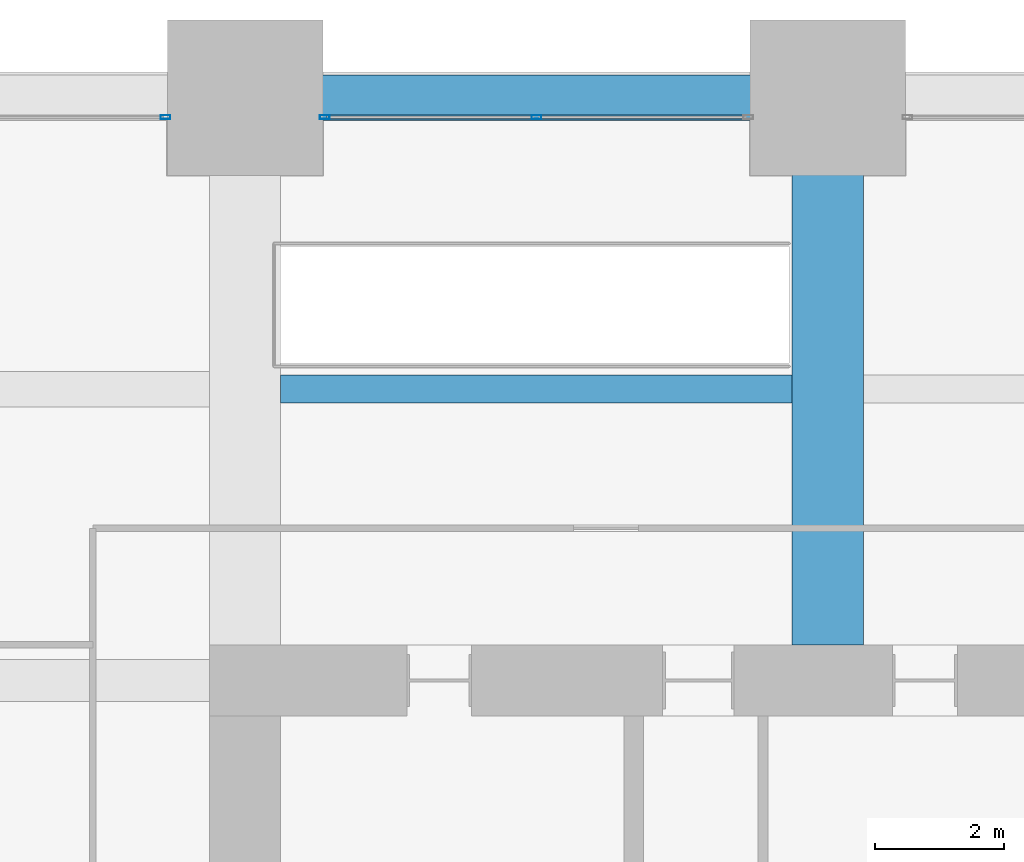
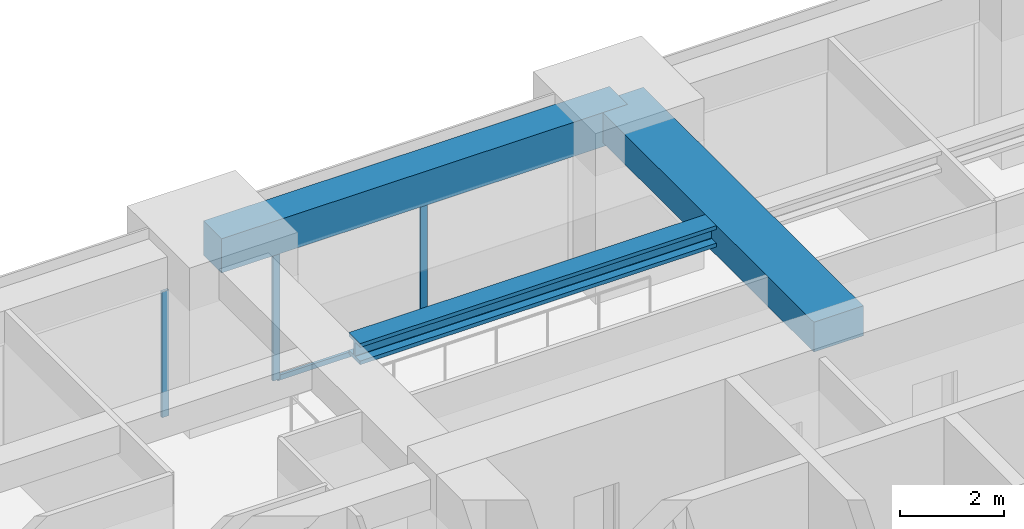
# One storey, part 24 of 32: 4 members, 3 beams, 2 elements without a shape of their own.
"""IFC4 building model written with IfcOpenShell, lengths in metres."""

from ifc_helpers import new_model, si_unit, direction, frame, origin, origin_2d, place, context, subcontext, project, spatial, rectangle, hollow_rectangle, i_section, extrude, material, material_profile, profile_set, type_object, element, aggregate, save


model = new_model("IFC4")

# Units and contexts
model_context = context("Model", 3, precision=1e-05, world=origin(), true_north=direction((0.0, 1.0)))
body_context = subcontext(model_context, "Body", "Model", "MODEL_VIEW")
ifc_project = project(units=[si_unit("LENGTHUNIT", "METRE"), si_unit("AREAUNIT", "SQUARE_METRE"), si_unit("VOLUMEUNIT", "CUBIC_METRE"), si_unit("PLANEANGLEUNIT", "RADIAN"), si_unit("MASSUNIT", "GRAM", prefix="KILO")], contexts=[model_context])

# Site, building, storey
site_placement = place(None, origin())
site = spatial("IfcSite", under=ifc_project, at=site_placement, CompositionType="ELEMENT")
building_placement = place(site_placement, origin())
building = spatial("IfcBuilding", under=site, at=building_placement, Name="Zorevar Civic Tower", CompositionType="ELEMENT")
storey_placement = place(building_placement, frame((0.0, 0.0, 198.199951171875)))
storey = spatial("IfcBuildingStorey", under=building, at=storey_placement, Name="L48", CompositionType="ELEMENT", Elevation=198.199951171875)

# Beam
ifc_material_1 = material(Name="Concrete C50/60", Category="concrete")
ifc_material_profile_1 = material_profile(ifc_material_1, rectangle(XDim=1.10009765625, YDim=0.699951171875, at=origin_2d()), Name="RC 1100x700")
ifc_profile_set_1 = profile_set([ifc_material_profile_1], Name="Concrete C50/60")
beam_type_1 = type_object("IfcBeamType", Name="Beam RC 1100x700", PredefinedType="BEAM", material=ifc_profile_set_1)
beam_1_placement = place(storey_placement, frame((27.0, 36.550048828125, 3.400146484375), z_axis=(0.0, 1.0, 0.0), x_axis=(-1.0, 0.0, 0.0)))
element("IfcBeam", 1, at=beam_1_placement, inside=storey, type_object=beam_type_1, Name="Girder L49", PredefinedType="BEAM", context=body_context, shape_type="SweptSolid", body=[
    extrude(rectangle(XDim=1.10009765625, YDim=0.699951171875, at=origin_2d()), origin(), (0.0, 0.0, 1.0), 8.449951171875),
])

# Curtain wall, member
ifc_material_2 = material(Name="Dark grey solar-control glass in black aluminium frame", Category="aluminium")
curtain_wall_type = type_object("IfcCurtainWallType", Name="Curtain wall CW4 high zone", PredefinedType="NOTDEFINED", material=ifc_material_2)
curtain_wall_1_placement = place(storey_placement, origin())
curtain_wall_1 = element("IfcCurtainWall", 2, at=curtain_wall_1_placement, inside=storey, type_object=curtain_wall_type, Name="CW4 L48", PredefinedType="NOTDEFINED")
ifc_material_3 = material(Name="Aluminium, black anodised", Category="aluminium")
ifc_material_profile_2 = material_profile(ifc_material_3, hollow_rectangle(XDim=0.06005859375, YDim=0.14990234375, WallThickness=0.00390625, at=origin_2d()), Name="AL 150x60x4")
ifc_profile_set_2 = profile_set([ifc_material_profile_2], Name="Aluminium, black anodised")
member_type_1 = type_object("IfcMemberType", Name="CW4 mullion AL 150x60x4", PredefinedType="MULLION", material=ifc_profile_set_2)
member_1_placement = place(storey_placement, frame((16.77001953125, 44.699951171875, 0.0), z_axis=(0.0, 0.0, 1.0), x_axis=(0.0, 1.0, 0.0)))
member_1 = element("IfcMember", 3, at=member_1_placement, type_object=member_type_1, Name="CW4 mullion 3", PredefinedType="MULLION", context=body_context, shape_type="SweptSolid", body=[
    extrude(hollow_rectangle(XDim=0.06005859375, YDim=0.14990234375, WallThickness=0.00390625, at=origin_2d()), origin(), (0.0, 0.0, 1.0), 2.949951171875),
])
aggregate(curtain_wall_1, [member_1])

# Curtain wall, members
curtain_wall_2_placement = place(storey_placement, origin())
curtain_wall_2 = element("IfcCurtainWall", 4, at=curtain_wall_2_placement, inside=storey, type_object=curtain_wall_type, Name="CW4 L48", PredefinedType="NOTDEFINED")
member_2_placement = place(storey_placement, frame((19.22998046875, 44.699951171875, 0.0), z_axis=(0.0, 0.0, 1.0), x_axis=(0.0, 1.0, 0.0)))
member_2 = element("IfcMember", 5, at=member_2_placement, type_object=member_type_1, Name="CW4 mullion 1", PredefinedType="MULLION", context=body_context, shape_type="SweptSolid", body=[
    extrude(hollow_rectangle(XDim=0.06005859375, YDim=0.14990234375, WallThickness=0.00390625, at=origin_2d()), origin(), (0.0, 0.0, 1.0), 2.949951171875),
])
member_3_placement = place(storey_placement, frame((22.5, 44.699951171875, 0.06005859375), z_axis=(0.0, 0.0, 1.0), x_axis=(0.0, 1.0, 0.0)))
member_3 = element("IfcMember", 6, at=member_3_placement, type_object=member_type_1, Name="CW4 mullion 2", PredefinedType="MULLION", context=body_context, shape_type="SweptSolid", body=[
    extrude(hollow_rectangle(XDim=0.06005859375, YDim=0.14990234375, WallThickness=0.00390625, at=origin_2d()), origin(), (0.0, 0.0, 1.0), 2.889892578125),
])
ifc_material_4 = material(Name="Aluminium, black anodised", Category="aluminium")
ifc_material_profile_3 = material_profile(ifc_material_4, hollow_rectangle(XDim=0.06005859375, YDim=0.1201171875, WallThickness=0.0029296875, at=origin_2d()), Name="AL 120x60x3")
ifc_profile_set_3 = profile_set([ifc_material_profile_3], Name="Aluminium, black anodised")
member_type_2 = type_object("IfcMemberType", Name="CW4 transom AL 120x60x3", PredefinedType="USERDEFINED", material=ifc_profile_set_3)
member_4_placement = place(storey_placement, frame((19.260009765625, 44.699951171875, 0.030029296875), z_axis=(1.0, 0.0, 0.0), x_axis=(0.0, 1.0, 0.0)))
member_4 = element("IfcMember", 7, at=member_4_placement, type_object=member_type_2, Name="CW4 sill transom", ObjectType="TRANSOM", PredefinedType="USERDEFINED", context=body_context, shape_type="SweptSolid", body=[
    extrude(hollow_rectangle(XDim=0.06005859375, YDim=0.1201171875, WallThickness=0.0029296875, at=origin_2d()), origin(), (0.0, 0.0, 1.0), 6.47998046875),
])
aggregate(curtain_wall_2, [member_2, member_3, member_4])

# Beams
ifc_material_5 = material(Name="Steel S460M (HISTAR 460)", Category="steel")
ifc_material_profile_4 = material_profile(ifc_material_5, i_section(OverallWidth=0.431884765625, OverallDepth=0.498046875, WebThickness=0.0556640625, FlangeThickness=0.0888671875, FilletRadius=0.014892578125, at=origin_2d()), Name="HD 400x744")
ifc_profile_set_4 = profile_set([ifc_material_profile_4], Name="Steel S460M (HISTAR 460)")
beam_type_2 = type_object("IfcBeamType", Name="Core bay beam HD 400x744", PredefinedType="BEAM", material=ifc_profile_set_4)
beam_2_placement = place(storey_placement, frame((18.550048828125, 40.5, 3.5009765625), z_axis=(1.0, 0.0, 0.0), x_axis=(0.0, 1.0, 0.0)))
element("IfcBeam", 8, at=beam_2_placement, inside=storey, type_object=beam_type_2, Name="Secondary beam L49", PredefinedType="BEAM", context=body_context, shape_type="SweptSolid", body=[
    extrude(i_section(OverallWidth=0.431884765625, OverallDepth=0.498046875, WebThickness=0.0556640625, FlangeThickness=0.0888671875, FilletRadius=0.014892578125, at=origin_2d()), origin(), (0.0, 0.0, 1.0), 7.89990234375),
])
ifc_material_6 = material(Name="Concrete C50/60", Category="concrete")
ifc_material_profile_5 = material_profile(ifc_material_6, rectangle(XDim=0.699951171875, YDim=0.800048828125, at=origin_2d()), Name="RC 700x800")
ifc_profile_set_5 = profile_set([ifc_material_profile_5], Name="Concrete C50/60")
beam_type_3 = type_object("IfcBeamType", Name="Edge beam RC 700x800", PredefinedType="SPANDREL", material=ifc_profile_set_5)
beam_3_placement = place(storey_placement, frame((18.0, 45.0, 3.35009765625), z_axis=(1.0, 0.0, 0.0), x_axis=(0.0, 1.0, 0.0)))
element("IfcBeam", 9, at=beam_3_placement, inside=storey, type_object=beam_type_3, Name="Edge beam L49", PredefinedType="SPANDREL", context=body_context, shape_type="SweptSolid", body=[
    extrude(rectangle(XDim=0.699951171875, YDim=0.800048828125, at=origin_2d()), origin(), (0.0, 0.0, 1.0), 9.0),
])

save(model, "model.ifc")
